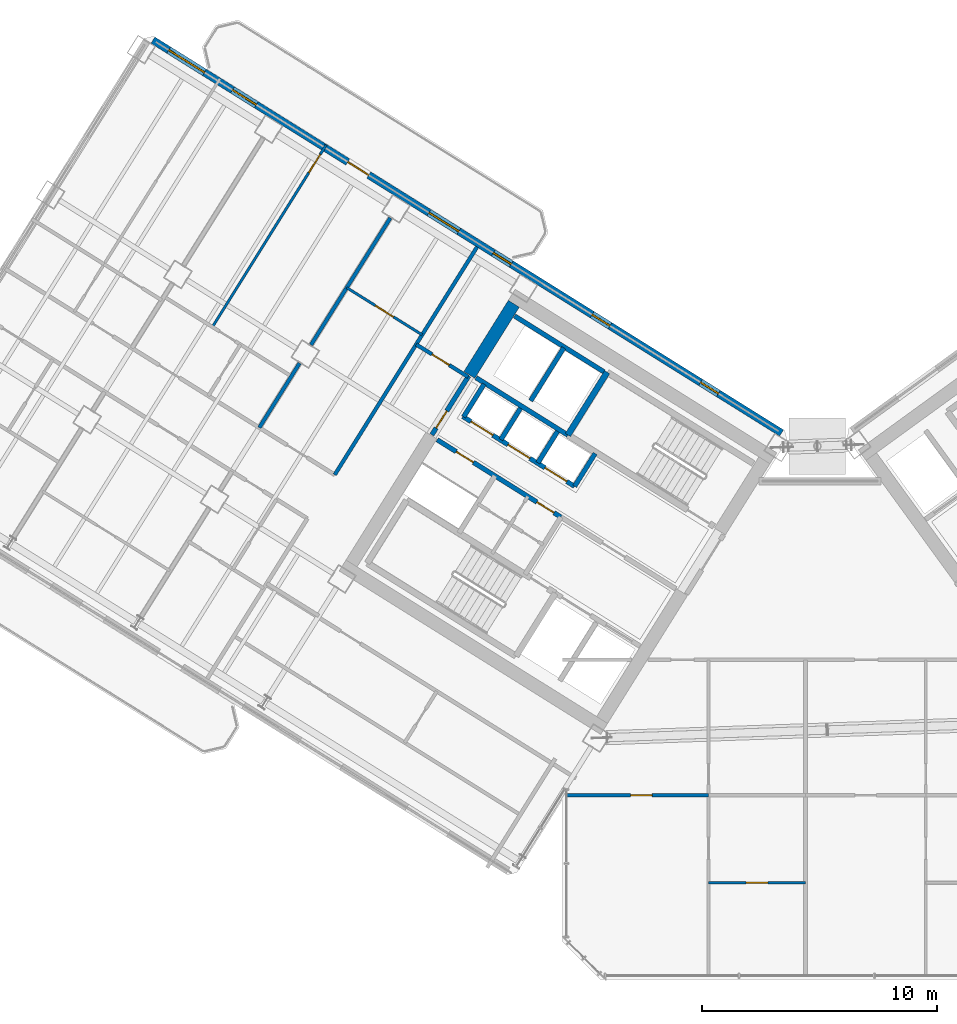
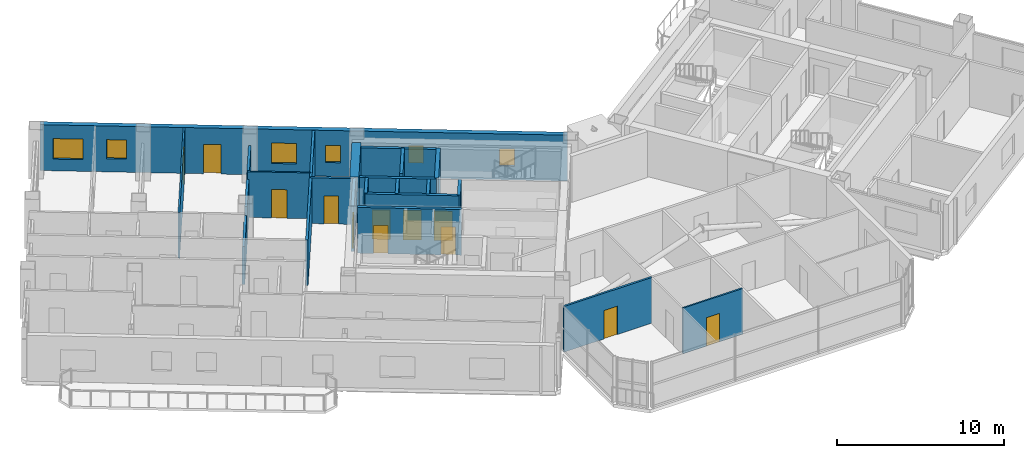
# One storey, part 18 of 29: 21 walls, 12 doors, 6 windows, 18 openings.
"""IFC4 building model written with IfcOpenShell, lengths in metres."""

from ifc_helpers import new_model, si_unit, direction, frame, frame_2d, origin, place, context, subcontext, project, spatial, rectangle, extrude, source, transform, mapped, material, layer, layer_set, type_object, element, fill, save


model = new_model("IFC4")

# Units and contexts
model_context = context("Model", 3, precision=1e-05, world=origin(), true_north=direction((0.0, 1.0)))
body_context = subcontext(model_context, "Body", "Model", "MODEL_VIEW")
ifc_project = project(units=[si_unit("LENGTHUNIT", "METRE"), si_unit("AREAUNIT", "SQUARE_METRE"), si_unit("VOLUMEUNIT", "CUBIC_METRE"), si_unit("PLANEANGLEUNIT", "RADIAN"), si_unit("MASSUNIT", "GRAM", prefix="KILO")], contexts=[model_context])

# Site, building, storey
site_placement = place(None, origin())
site = spatial("IfcSite", under=ifc_project, at=site_placement, CompositionType="ELEMENT")
building_placement = place(site_placement, origin())
building = spatial("IfcBuilding", under=site, at=building_placement, Name="Tlacorven Tower", CompositionType="ELEMENT")
storey_placement = place(building_placement, frame((0.0, 0.0, 151.5)))
storey = spatial("IfcBuildingStorey", under=building, at=storey_placement, Name="L38", CompositionType="ELEMENT", Elevation=151.5)

# Wall
ifc_material_1 = material(Name="Concrete C60/75", Category="concrete")
ifc_layer_1 = layer(ifc_material_1, 0.550048828125)
ifc_layer_set_1 = layer_set([ifc_layer_1], Name="Concrete C60/75")
wall_type_1 = type_object("IfcWallType", Name="WL-COR-550", PredefinedType="SHEAR", material=ifc_layer_set_1)
wall_1_placement = place(storey_placement, frame((29.517333984375, 30.59423828125, 0.0), z_axis=(0.0, 0.0, 1.0), x_axis=(-0.529906864564, -0.848055844204, 0.0)))
element("IfcWall", 1, at=wall_1_placement, inside=storey, type_object=wall_type_1, Name="L38 W core end wall E2.1", PredefinedType="SHEAR", context=body_context, shape_type="SweptSolid", body=[
    extrude(rectangle(XDim=3.5751953125, YDim=0.550048828125, at=frame_2d((1.78759765625, 0.0))), origin(), (0.0, 0.0, 1.0), 3.35009765625),
])

# Wall, opening, door
ifc_material_2 = material(Name="Gypsum plasterboard acoustic partition", Category="gypsum")
ifc_layer_2 = layer(ifc_material_2, 0.159912109375)
ifc_layer_set_2 = layer_set([ifc_layer_2], Name="Gypsum plasterboard acoustic partition")
wall_type_2 = type_object("IfcWallType", Name="WL-DEM-160", PredefinedType="PARTITIONING", material=ifc_layer_set_2)
wall_2_placement = place(storey_placement, frame((27.56982421875, 27.4775390625, 0.0), z_axis=(0.0, 0.0, 1.0), x_axis=(-0.848050851465, 0.529914854792, 0.0)))
wall_2 = element("IfcWall", 2, at=wall_2_placement, inside=storey, type_object=wall_type_2, Name="L38 partition 45", PredefinedType="PARTITIONING", context=body_context, shape_type="SweptSolid", body=[
    extrude(rectangle(XDim=2.60986328125, YDim=0.159912109375, at=frame_2d((1.304931640625, 0.0))), origin(), (0.0, 0.0, 1.0), 3.340087890625),
])
opening_1_placement = place(wall_2_placement, frame((0.949951171875, 0.0, 0.0)))
opening_1 = element("IfcOpeningElement", 3, at=opening_1_placement, cuts=wall_2, Name="Opening D19", PredefinedType="OPENING", context=body_context, shape_type="SweptSolid", body=[
    extrude(rectangle(XDim=0.860107421875, YDim=2.050048828125, at=frame_2d((0.43017578125, 1.02490234375))), frame((0.0, 0.08984375, 0.0), z_axis=(0.0, -1.0, 0.0), x_axis=(1.0, 0.0, 0.0)), (0.0, 0.0, 1.0), 0.179931640625),
])
ifc_material_3 = material(Name="Fire-rated steel door assembly", Category="steel")
door_type_1 = type_object("IfcDoorType", Name="DR-RSR-FD60-0860", OperationType="NOTDEFINED", PredefinedType="DOOR", material=ifc_material_3)
shared_shape_1 = source(origin(), body_context, "Body", "SweptSolid", [
    extrude(rectangle(XDim=0.860107421875, YDim=2.050048828125, at=frame_2d((0.43017578125, 1.02490234375))), frame((0.0, 0.02490234375, 0.0), z_axis=(0.0, -1.0, 0.0), x_axis=(1.0, 0.0, 0.0)), (0.0, 0.0, 1.0), 0.050048828125),
])
door_1_placement = place(opening_1_placement, frame((0.860107421875, 0.0, 0.0), z_axis=(0.0, 0.0, 1.0), x_axis=(-1.0, 0.0, 0.0)))
door_1 = element("IfcDoor", 4, at=door_1_placement, inside=storey, type_object=door_type_1, Name="L38 door 022", OperationType="SINGLE_SWING_RIGHT", OverallHeight=2.050048828125, OverallWidth=0.860107421875, PredefinedType="DOOR", context=body_context, shape_type="MappedRepresentation", body=[
    mapped(shared_shape_1, transform((0.0, 0.0, 0.0), scale=1.0)),
])
fill(opening_1, door_1)

# Walls
wall_3_placement = place(storey_placement, frame((27.952880859375, 33.01611328125, 0.0), z_axis=(0.0, 0.0, 1.0), x_axis=(-0.529905022231, -0.848056995381, 0.0)))
element("IfcWall", 5, at=wall_3_placement, inside=storey, type_object=wall_type_2, Name="L38 partition 47", PredefinedType="PARTITIONING", context=body_context, shape_type="SweptSolid", body=[
    extrude(rectangle(XDim=11.449951171875, YDim=0.159912109375, at=frame_2d((5.72509765625, 0.0))), origin(), (0.0, 0.0, 1.0), 3.340087890625),
])
wall_4_placement = place(storey_placement, frame((24.255615234375, 34.2509765625, 0.0), z_axis=(0.0, 0.0, 1.0), x_axis=(-0.529919772691, -0.848047778437, 0.0)))
element("IfcWall", 6, at=wall_4_placement, inside=storey, type_object=wall_type_2, Name="L38 WS Demising Wall 1", PredefinedType="PARTITIONING", context=body_context, shape_type="SweptSolid", body=[
    extrude(rectangle(XDim=6.375732421875, YDim=0.159912109375, at=frame_2d((3.18798828125, 0.0))), origin(), (0.0, 0.0, 1.0), 2.77490234375),
])
wall_5_placement = place(storey_placement, frame((20.38720703125, 28.060302734375, 0.0), z_axis=(0.0, 0.0, 1.0), x_axis=(-0.529890499457, -0.848066069705, 0.0)))
element("IfcWall", 7, at=wall_5_placement, inside=storey, type_object=wall_type_2, Name="L38 WS Demising Wall 1", PredefinedType="PARTITIONING", context=body_context, shape_type="SweptSolid", body=[
    extrude(rectangle(XDim=3.238037109375, YDim=0.159912109375, at=frame_2d((1.619140625, 0.0))), origin(), (0.0, 0.0, 1.0), 2.77490234375),
])

# Wall, openings, door, windows
ifc_material_4 = material(Name="Precast concrete C45/55", Category="concrete")
ifc_layer_3 = layer(ifc_material_4, 0.320068359375)
ifc_layer_set_3 = layer_set([ifc_layer_3], Name="Precast concrete C45/55")
wall_type_3 = type_object("IfcWallType", Name="WL-EXT-320", PredefinedType="STANDARD", material=ifc_layer_set_3)
wall_6_placement = place(storey_placement, frame((14.13818359375, 41.825439453125, 0.0), z_axis=(0.0, 0.0, 1.0), x_axis=(0.848046498049, -0.529921821731, 0.0)))
wall_6 = element("IfcWall", 8, at=wall_6_placement, inside=storey, type_object=wall_type_3, Name="L38 Masonry-Frame Recessed Facade Wall 3", PredefinedType="STANDARD", context=body_context, shape_type="SweptSolid", body=[
    extrude(rectangle(XDim=31.587646484375, YDim=0.320068359375, at=frame_2d((15.7939453125, 0.0))), origin(), (0.0, 0.0, 1.0), 3.35009765625),
])
opening_2_placement = place(wall_6_placement, frame((9.7919921875, 0.0, 0.0)))
opening_2 = element("IfcOpeningElement", 9, at=opening_2_placement, cuts=wall_6, Name="Opening D06", PredefinedType="OPENING", context=body_context, shape_type="SweptSolid", body=[
    extrude(rectangle(XDim=1.050048828125, YDim=2.14990234375, at=frame_2d((0.52490234375, 1.074951171875))), frame((0.0, 0.169921875, 0.0), z_axis=(0.0, -1.0, 0.0), x_axis=(1.0, 0.0, 0.0)), (0.0, 0.0, 1.0), 0.340087890625),
])
opening_3_placement = place(wall_6_placement, frame((0.791259765625, 0.0, 0.85009765625)))
opening_3 = element("IfcOpeningElement", 10, at=opening_3_placement, cuts=wall_6, Name="Opening WN01", PredefinedType="OPENING", context=body_context, shape_type="SweptSolid", body=[
    extrude(rectangle(XDim=1.800048828125, YDim=1.5, at=frame_2d((0.89990234375, 0.75))), frame((0.0, 0.169921875, 0.0), z_axis=(0.0, -1.0, 0.0), x_axis=(1.0, 0.0, 0.0)), (0.0, 0.0, 1.0), 0.340087890625),
])
opening_4_placement = place(wall_6_placement, frame((3.99609375, 0.0, 0.949951171875)))
opening_4 = element("IfcOpeningElement", 11, at=opening_4_placement, cuts=wall_6, Name="Opening WN03", PredefinedType="OPENING", context=body_context, shape_type="SweptSolid", body=[
    extrude(rectangle(XDim=1.199951171875, YDim=1.39990234375, at=frame_2d((0.60009765625, 0.699951171875))), frame((0.0, 0.169921875, 0.0), z_axis=(0.0, -1.0, 0.0), x_axis=(1.0, 0.0, 0.0)), (0.0, 0.0, 1.0), 0.340087890625),
])
opening_5_placement = place(wall_6_placement, frame((13.873779296875, 0.0, 0.85009765625)))
opening_5 = element("IfcOpeningElement", 12, at=opening_5_placement, cuts=wall_6, Name="Opening WN02", PredefinedType="OPENING", context=body_context, shape_type="SweptSolid", body=[
    extrude(rectangle(XDim=1.5, YDim=1.5, at=frame_2d((0.75, 0.75))), frame((0.0, 0.169921875, 0.0), z_axis=(0.0, -1.0, 0.0), x_axis=(1.0, 0.0, 0.0)), (0.0, 0.0, 1.0), 0.340087890625),
])
opening_6_placement = place(wall_6_placement, frame((17.103759765625, 0.0, 1.0)))
opening_6 = element("IfcOpeningElement", 13, at=opening_6_placement, cuts=wall_6, Name="Opening WN05", PredefinedType="OPENING", context=body_context, shape_type="SweptSolid", body=[
    extrude(rectangle(XDim=0.89990234375, YDim=1.25, at=frame_2d((0.449951171875, 0.625))), frame((0.0, 0.169921875, 0.0), z_axis=(0.0, -1.0, 0.0), x_axis=(1.0, 0.0, 0.0)), (0.0, 0.0, 1.0), 0.340087890625),
])
opening_7_placement = place(wall_6_placement, frame((22.06884765625, 0.0, 1.0)))
opening_7 = element("IfcOpeningElement", 14, at=opening_7_placement, cuts=wall_6, Name="Opening WN05", PredefinedType="OPENING", context=body_context, shape_type="SweptSolid", body=[
    extrude(rectangle(XDim=0.89990234375, YDim=1.25, at=frame_2d((0.449951171875, 0.625))), frame((0.0, 0.169921875, 0.0), z_axis=(0.0, -1.0, 0.0), x_axis=(1.0, 0.0, 0.0)), (0.0, 0.0, 1.0), 0.340087890625),
])
opening_8_placement = place(wall_6_placement, frame((27.51904296875, 0.0, 1.0)))
opening_8 = element("IfcOpeningElement", 15, at=opening_8_placement, cuts=wall_6, Name="Opening WN05", PredefinedType="OPENING", context=body_context, shape_type="SweptSolid", body=[
    extrude(rectangle(XDim=0.89990234375, YDim=1.25, at=frame_2d((0.449951171875, 0.625))), frame((0.0, 0.169921875, 0.0), z_axis=(0.0, -1.0, 0.0), x_axis=(1.0, 0.0, 0.0)), (0.0, 0.0, 1.0), 0.340087890625),
])
ifc_material_5 = material(Name="Powder-coated aluminium and timber door", Category="wood")
door_type_2 = type_object("IfcDoorType", Name="DR-EXT-BALC-1050", OperationType="NOTDEFINED", PredefinedType="DOOR", material=ifc_material_5)
shared_shape_2 = source(origin(), body_context, "Body", "SweptSolid", [
    extrude(rectangle(XDim=1.050048828125, YDim=2.14990234375, at=frame_2d((0.52490234375, 1.074951171875))), frame((0.0, 0.02490234375, 0.0), z_axis=(0.0, -1.0, 0.0), x_axis=(1.0, 0.0, 0.0)), (0.0, 0.0, 1.0), 0.050048828125),
])
door_2_placement = place(opening_2_placement, origin())
door_2 = element("IfcDoor", 16, at=door_2_placement, inside=storey, type_object=door_type_2, Name="L38 Outdoor Access Door BAL-L38-W-IN", OperationType="SINGLE_SWING_RIGHT", OverallHeight=2.14990234375, OverallWidth=1.050048828125, PredefinedType="DOOR", context=body_context, shape_type="MappedRepresentation", body=[
    mapped(shared_shape_2, transform((0.0, 0.0, 0.0), scale=1.0)),
])
fill(opening_2, door_2)
ifc_material_6 = material(Name="Dark solar low-E double glazing in anodised aluminium frame", Category="aluminium")
window_type_1 = type_object("IfcWindowType", Name="WN-APT-1200X1500", PartitioningType="SINGLE_PANEL", PredefinedType="WINDOW", material=ifc_material_6)
shared_shape_3 = source(origin(), body_context, "Body", "SweptSolid", [
    extrude(rectangle(XDim=1.199951171875, YDim=1.39990234375, at=frame_2d((0.60009765625, 0.699951171875))), frame((0.0, 0.030029296875, 0.0), z_axis=(0.0, -1.0, 0.0), x_axis=(1.0, 0.0, 0.0)), (0.0, 0.0, 1.0), 0.06005859375),
])
window_1_placement = place(opening_4_placement, origin())
window_1 = element("IfcWindow", 17, at=window_1_placement, inside=storey, type_object=window_type_1, Name="L38 Recessed Masonry-Frame Window L38-03.2", OverallHeight=1.39990234375, OverallWidth=1.199951171875, PartitioningType="SINGLE_PANEL", PredefinedType="WINDOW", context=body_context, shape_type="MappedRepresentation", body=[
    mapped(shared_shape_3, transform((0.0, 0.0, 0.0), scale=1.0)),
])
fill(opening_4, window_1)
window_type_2 = type_object("IfcWindowType", Name="WN-APT-1800X1650", PartitioningType="SINGLE_PANEL", PredefinedType="WINDOW", material=ifc_material_6)
shared_shape_4 = source(origin(), body_context, "Body", "SweptSolid", [
    extrude(rectangle(XDim=1.800048828125, YDim=1.5, at=frame_2d((0.89990234375, 0.75))), frame((0.0, 0.030029296875, 0.0), z_axis=(0.0, -1.0, 0.0), x_axis=(1.0, 0.0, 0.0)), (0.0, 0.0, 1.0), 0.06005859375),
])
window_2_placement = place(opening_3_placement, origin())
window_2 = element("IfcWindow", 18, at=window_2_placement, inside=storey, type_object=window_type_2, Name="L38 Recessed Masonry-Frame Window L38-03.1", OverallHeight=1.5, OverallWidth=1.800048828125, PartitioningType="SINGLE_PANEL", PredefinedType="WINDOW", context=body_context, shape_type="MappedRepresentation", body=[
    mapped(shared_shape_4, transform((0.0, 0.0, 0.0), scale=1.0)),
])
fill(opening_3, window_2)
window_type_3 = type_object("IfcWindowType", Name="WN-APT-1500X1650", PartitioningType="SINGLE_PANEL", PredefinedType="WINDOW", material=ifc_material_6)
shared_shape_5 = source(origin(), body_context, "Body", "SweptSolid", [
    extrude(rectangle(XDim=1.5, YDim=1.5, at=frame_2d((0.75, 0.75))), frame((0.0, 0.030029296875, 0.0), z_axis=(0.0, -1.0, 0.0), x_axis=(1.0, 0.0, 0.0)), (0.0, 0.0, 1.0), 0.06005859375),
])
window_3_placement = place(opening_5_placement, origin())
window_3 = element("IfcWindow", 19, at=window_3_placement, inside=storey, type_object=window_type_3, Name="L38 Recessed Masonry-Frame Window L38-03.3", OverallHeight=1.5, OverallWidth=1.5, PartitioningType="SINGLE_PANEL", PredefinedType="WINDOW", context=body_context, shape_type="MappedRepresentation", body=[
    mapped(shared_shape_5, transform((0.0, 0.0, 0.0), scale=1.0)),
])
fill(opening_5, window_3)
window_type_4 = type_object("IfcWindowType", Name="WN-APT-0900X1350", PartitioningType="SINGLE_PANEL", PredefinedType="WINDOW", material=ifc_material_6)
shared_shape_6 = source(origin(), body_context, "Body", "SweptSolid", [
    extrude(rectangle(XDim=0.89990234375, YDim=1.25, at=frame_2d((0.449951171875, 0.625))), frame((0.0, 0.030029296875, 0.0), z_axis=(0.0, -1.0, 0.0), x_axis=(1.0, 0.0, 0.0)), (0.0, 0.0, 1.0), 0.06005859375),
])
window_4_placement = place(opening_6_placement, origin())
window_4 = element("IfcWindow", 20, at=window_4_placement, inside=storey, type_object=window_type_4, Name="L38 Recessed Masonry-Frame Window L38-03.4", OverallHeight=1.25, OverallWidth=0.89990234375, PartitioningType="SINGLE_PANEL", PredefinedType="WINDOW", context=body_context, shape_type="MappedRepresentation", body=[
    mapped(shared_shape_6, transform((0.0, 0.0, 0.0), scale=1.0)),
])
fill(opening_6, window_4)
window_5_placement = place(opening_7_placement, origin())
window_5 = element("IfcWindow", 21, at=window_5_placement, inside=storey, type_object=window_type_4, Name="L38 Recessed Masonry-Frame Window L38-03.5", OverallHeight=1.25, OverallWidth=0.89990234375, PartitioningType="SINGLE_PANEL", PredefinedType="WINDOW", context=body_context, shape_type="MappedRepresentation", body=[
    mapped(shared_shape_6, transform((0.0, 0.0, 0.0), scale=1.0)),
])
fill(opening_7, window_5)
window_6_placement = place(opening_8_placement, origin())
window_6 = element("IfcWindow", 22, at=window_6_placement, inside=storey, type_object=window_type_4, Name="L38 Recessed Masonry-Frame Window L38-03.6", OverallHeight=1.25, OverallWidth=0.89990234375, PartitioningType="SINGLE_PANEL", PredefinedType="WINDOW", context=body_context, shape_type="MappedRepresentation", body=[
    mapped(shared_shape_6, transform((0.0, 0.0, 0.0), scale=1.0)),
])
fill(opening_8, window_6)

# Wall, opening, door
ifc_material_7 = material(Name="Gypsum plasterboard partition", Category="gypsum")
ifc_layer_4 = layer(ifc_material_7, 0.110107421875)
ifc_layer_set_4 = layer_set([ifc_layer_4], Name="Gypsum plasterboard partition")
wall_type_4 = type_object("IfcWallType", Name="WL-INT-110", PredefinedType="PARTITIONING", material=ifc_layer_set_4)
wall_7_placement = place(storey_placement, frame((25.61181640625, 29.269287109375, 0.0), z_axis=(0.0, 0.0, 1.0), x_axis=(-0.84803087207, 0.529946827537, 0.0)))
wall_7 = element("IfcWall", 23, at=wall_7_placement, inside=storey, type_object=wall_type_4, Name="L38 partition 60", PredefinedType="PARTITIONING", context=body_context, shape_type="SweptSolid", body=[
    extrude(rectangle(XDim=3.7900390625, YDim=0.110107421875, at=frame_2d((1.89501953125, 0.0))), origin(), (0.0, 0.0, 1.0), 3.340087890625),
])
opening_9_placement = place(wall_7_placement, frame((1.43505859375, 0.0, 0.0)))
opening_9 = element("IfcOpeningElement", 24, at=opening_9_placement, cuts=wall_7, Name="Opening D12", PredefinedType="OPENING", context=body_context, shape_type="SweptSolid", body=[
    extrude(rectangle(XDim=0.919921875, YDim=2.080078125, at=frame_2d((0.4599609375, 1.0400390625))), frame((0.0, 0.06494140625, 0.0), z_axis=(0.0, -1.0, 0.0), x_axis=(1.0, 0.0, 0.0)), (0.0, 0.0, 1.0), 0.130126953125),
])
door_type_3 = type_object("IfcDoorType", Name="DR-INT-ROOM-0920", OperationType="NOTDEFINED", PredefinedType="DOOR", material=ifc_material_5)
shared_shape_7 = source(origin(), body_context, "Body", "SweptSolid", [
    extrude(rectangle(XDim=0.919921875, YDim=2.080078125, at=frame_2d((0.4599609375, 1.0400390625))), frame((0.0, 0.02490234375, 0.0), z_axis=(0.0, -1.0, 0.0), x_axis=(1.0, 0.0, 0.0)), (0.0, 0.0, 1.0), 0.050048828125),
])
door_3_placement = place(opening_9_placement, origin())
door_3 = element("IfcDoor", 25, at=door_3_placement, inside=storey, type_object=door_type_3, Name="L38 door 033", OperationType="SINGLE_SWING_RIGHT", OverallHeight=2.080078125, OverallWidth=0.919921875, PredefinedType="DOOR", context=body_context, shape_type="MappedRepresentation", body=[
    mapped(shared_shape_7, transform((0.0, 0.0, 0.0), scale=1.0)),
])
fill(opening_9, door_3)

wall_8_placement = place(storey_placement, frame((21.516845703125, 37.356201171875, 0.0), z_axis=(0.0, 0.0, 1.0), x_axis=(-0.529919705034, -0.848047820713, 0.0)))
wall_8 = element("IfcWall", 26, at=wall_8_placement, inside=storey, type_object=wall_type_4, Name="L38 partition 64", PredefinedType="PARTITIONING", context=body_context, shape_type="SweptSolid", body=[
    extrude(rectangle(XDim=9.14013671875, YDim=0.110107421875, at=frame_2d((4.570068359375, 0.0))), origin(), (0.0, 0.0, 1.0), 3.340087890625),
])
opening_10_placement = place(wall_8_placement, frame((0.469970703125, 0.0, 0.0)))
opening_10 = element("IfcOpeningElement", 27, at=opening_10_placement, cuts=wall_8, Name="Opening D12", PredefinedType="OPENING", context=body_context, shape_type="SweptSolid", body=[
    extrude(rectangle(XDim=0.919921875, YDim=2.080078125, at=frame_2d((0.4599609375, 1.0400390625))), frame((0.0, 0.06494140625, 0.0), z_axis=(0.0, -1.0, 0.0), x_axis=(1.0, 0.0, 0.0)), (0.0, 0.0, 1.0), 0.130126953125),
])
door_4_placement = place(opening_10_placement, origin())
door_4 = element("IfcDoor", 28, at=door_4_placement, inside=storey, type_object=door_type_3, Name="L38 door 034", OperationType="SINGLE_SWING_LEFT", OverallHeight=2.080078125, OverallWidth=0.919921875, PredefinedType="DOOR", context=body_context, shape_type="MappedRepresentation", body=[
    mapped(shared_shape_7, transform((0.0, 0.0, 0.0), scale=1.0)),
])
fill(opening_10, door_4)

wall_9_placement = place(storey_placement, frame((37.81298828125, 5.919921875, 0.0), z_axis=(0.0, 0.0, 1.0), x_axis=(1.0, 0.0, 0.0)))
wall_9 = element("IfcWall", 29, at=wall_9_placement, inside=storey, type_object=wall_type_4, Name="L38 partition 80", PredefinedType="PARTITIONING", context=body_context, shape_type="SweptSolid", body=[
    extrude(rectangle(XDim=4.136962890625, YDim=0.110107421875, at=frame_2d((2.068359375, 0.0))), origin(), (0.0, 0.0, 1.0), 3.340087890625),
])
opening_11_placement = place(wall_9_placement, frame((1.6083984375, 0.0, 0.0)))
opening_11 = element("IfcOpeningElement", 30, at=opening_11_placement, cuts=wall_9, Name="Opening D12", PredefinedType="OPENING", context=body_context, shape_type="SweptSolid", body=[
    extrude(rectangle(XDim=0.919921875, YDim=2.080078125, at=frame_2d((0.4599609375, 1.0400390625))), frame((0.0, 0.06494140625, 0.0), z_axis=(0.0, -1.0, 0.0), x_axis=(1.0, 0.0, 0.0)), (0.0, 0.0, 1.0), 0.130126953125),
])
door_5_placement = place(opening_11_placement, origin())
door_5 = element("IfcDoor", 31, at=door_5_placement, inside=storey, type_object=door_type_3, Name="L38 door 049", OperationType="SINGLE_SWING_RIGHT", OverallHeight=2.080078125, OverallWidth=0.919921875, PredefinedType="DOOR", context=body_context, shape_type="MappedRepresentation", body=[
    mapped(shared_shape_7, transform((0.0, 0.0, 0.0), scale=1.0)),
])
fill(opening_11, door_5)

ifc_material_8 = material(Name="Moisture-resistant gypsum plumbing wall", Category="gypsum")
ifc_layer_5 = layer(ifc_material_8, 0.139892578125)
ifc_layer_set_5 = layer_set([ifc_layer_5], Name="Moisture-resistant gypsum plumbing wall")
wall_type_5 = type_object("IfcWallType", Name="WL-PLM-140", PredefinedType="PLUMBINGWALL", material=ifc_layer_set_5)
wall_10_placement = place(storey_placement, frame((31.739990234375, 9.64990234375, 0.0), z_axis=(0.0, 0.0, 1.0), x_axis=(1.0, 0.0, 0.0)))
wall_10 = element("IfcWall", 32, at=wall_10_placement, inside=storey, type_object=wall_type_5, Name="L38 partition 78", PredefinedType="PLUMBINGWALL", context=body_context, shape_type="SweptSolid", body=[
    extrude(rectangle(XDim=6.072998046875, YDim=0.139892578125, at=frame_2d((3.03662109375, 0.0))), origin(), (0.0, 0.0, 1.0), 3.340087890625),
])
opening_12_placement = place(wall_10_placement, frame((2.756591796875, 0.0, 0.0)))
opening_12 = element("IfcOpeningElement", 33, at=opening_12_placement, cuts=wall_10, Name="Opening D12", PredefinedType="OPENING", context=body_context, shape_type="SweptSolid", body=[
    extrude(rectangle(XDim=0.919921875, YDim=2.080078125, at=frame_2d((0.4599609375, 1.0400390625))), frame((0.0, 0.080078125, 0.0), z_axis=(0.0, -1.0, 0.0), x_axis=(1.0, 0.0, 0.0)), (0.0, 0.0, 1.0), 0.159912109375),
])
door_6_placement = place(opening_12_placement, frame((0.919921875, 0.0, 0.0), z_axis=(0.0, 0.0, 1.0), x_axis=(-1.0, 0.0, 0.0)))
door_6 = element("IfcDoor", 34, at=door_6_placement, inside=storey, type_object=door_type_3, Name="L38 door 051", OperationType="SINGLE_SWING_RIGHT", OverallHeight=2.080078125, OverallWidth=0.919921875, PredefinedType="DOOR", context=body_context, shape_type="MappedRepresentation", body=[
    mapped(shared_shape_7, transform((0.0, 0.0, 0.0), scale=1.0)),
])
fill(opening_12, door_6)

# Wall
ifc_material_9 = material(Name="Concrete C40/50", Category="concrete")
ifc_layer_6 = layer(ifc_material_9, 0.199951171875)
ifc_layer_set_6 = layer_set([ifc_layer_6], Name="Concrete C40/50")
wall_type_6 = type_object("IfcWallType", Name="WL-SHF-200", PredefinedType="STANDARD", material=ifc_layer_set_6)
wall_11_placement = place(storey_placement, frame((31.82177734375, 24.99755859375, 0.0), z_axis=(0.0, 0.0, 1.0), x_axis=(-0.848036912365, 0.52993716162, 0.0)))
element("IfcWall", 35, at=wall_11_placement, inside=storey, type_object=wall_type_6, Name="L38 Core W South Lift Shaft Wall", PredefinedType="STANDARD", context=body_context, shape_type="SweptSolid", body=[
    extrude(rectangle(XDim=4.617919921875, YDim=0.199951171875, at=frame_2d((2.30908203125, 0.0))), origin(), (0.0, 0.0, 1.0), 3.340087890625),
])

# Wall, openings, doors
wall_12_placement = place(storey_placement, frame((32.108154296875, 22.81396484375, 0.0), z_axis=(0.0, 0.0, 1.0), x_axis=(-0.848042229521, 0.529928652696, 0.0)))
wall_12 = element("IfcWall", 36, at=wall_12_placement, inside=storey, type_object=wall_type_6, Name="L38 partition 11", PredefinedType="STANDARD", context=body_context, shape_type="SweptSolid", body=[
    extrude(rectangle(XDim=5.6201171875, YDim=0.199951171875, at=frame_2d((2.81005859375, 0.0))), origin(), (0.0, 0.0, 1.0), 3.340087890625),
])
opening_13_placement = place(wall_12_placement, frame((0.389892578125, 0.0, 0.0)))
opening_13 = element("IfcOpeningElement", 37, at=opening_13_placement, cuts=wall_12, Name="Opening LD01", PredefinedType="OPENING", context=body_context, shape_type="SweptSolid", body=[
    extrude(rectangle(XDim=1.10009765625, YDim=2.14990234375, at=frame_2d((0.550048828125, 1.074951171875))), frame((0.0, 0.10986328125, 0.0), z_axis=(0.0, -1.0, 0.0), x_axis=(1.0, 0.0, 0.0)), (0.0, 0.0, 1.0), 0.219970703125),
])
opening_14_placement = place(wall_12_placement, frame((2.25, 0.0, 0.0)))
opening_14 = element("IfcOpeningElement", 38, at=opening_14_placement, cuts=wall_12, Name="Opening LD01", PredefinedType="OPENING", context=body_context, shape_type="SweptSolid", body=[
    extrude(rectangle(XDim=1.10009765625, YDim=2.14990234375, at=frame_2d((0.550048828125, 1.074951171875))), frame((0.0, 0.10986328125, 0.0), z_axis=(0.0, -1.0, 0.0), x_axis=(1.0, 0.0, 0.0)), (0.0, 0.0, 1.0), 0.219970703125),
])
opening_15_placement = place(wall_12_placement, frame((4.110107421875, 0.0, 0.0)))
opening_15 = element("IfcOpeningElement", 39, at=opening_15_placement, cuts=wall_12, Name="Opening LD01", PredefinedType="OPENING", context=body_context, shape_type="SweptSolid", body=[
    extrude(rectangle(XDim=1.10009765625, YDim=2.14990234375, at=frame_2d((0.550048828125, 1.074951171875))), frame((0.0, 0.10986328125, 0.0), z_axis=(0.0, -1.0, 0.0), x_axis=(1.0, 0.0, 0.0)), (0.0, 0.0, 1.0), 0.219970703125),
])
door_type_4 = type_object("IfcDoorType", Name="DR-LFT-SLID-1100", OperationType="DOUBLE_DOOR_SLIDING", PredefinedType="DOOR", material=ifc_material_3)
shared_shape_8 = source(origin(), body_context, "Body", "SweptSolid", [
    extrude(rectangle(XDim=1.10009765625, YDim=2.14990234375, at=frame_2d((0.550048828125, 1.074951171875))), frame((0.0, 0.02490234375, 0.0), z_axis=(0.0, -1.0, 0.0), x_axis=(1.0, 0.0, 0.0)), (0.0, 0.0, 1.0), 0.050048828125),
])
door_7_placement = place(opening_13_placement, origin())
door_7 = element("IfcDoor", 40, at=door_7_placement, inside=storey, type_object=door_type_4, Name="L38 Lift PL-M1 Sliding Landing Door", OperationType="DOUBLE_DOOR_SLIDING", OverallHeight=2.14990234375, OverallWidth=1.10009765625, PredefinedType="DOOR", context=body_context, shape_type="MappedRepresentation", body=[
    mapped(shared_shape_8, transform((0.0, 0.0, 0.0), scale=1.0)),
])
fill(opening_13, door_7)
door_8_placement = place(opening_14_placement, origin())
door_8 = element("IfcDoor", 41, at=door_8_placement, inside=storey, type_object=door_type_4, Name="L38 Lift PL-M2 Sliding Landing Door", OperationType="DOUBLE_DOOR_SLIDING", OverallHeight=2.14990234375, OverallWidth=1.10009765625, PredefinedType="DOOR", context=body_context, shape_type="MappedRepresentation", body=[
    mapped(shared_shape_8, transform((0.0, 0.0, 0.0), scale=1.0)),
])
fill(opening_14, door_8)
door_9_placement = place(opening_15_placement, origin())
door_9 = element("IfcDoor", 42, at=door_9_placement, inside=storey, type_object=door_type_4, Name="L38 Lift PL-M3 Sliding Landing Door", OperationType="DOUBLE_DOOR_SLIDING", OverallHeight=2.14990234375, OverallWidth=1.10009765625, PredefinedType="DOOR", context=body_context, shape_type="MappedRepresentation", body=[
    mapped(shared_shape_8, transform((0.0, 0.0, 0.0), scale=1.0)),
])
fill(opening_15, door_9)

# Walls
wall_13_placement = place(storey_placement, frame((32.982421875, 24.21337890625, 0.0), z_axis=(0.0, 0.0, 1.0), x_axis=(-0.529839334948, -0.84809803628, 0.0)))
element("IfcWall", 43, at=wall_13_placement, inside=storey, type_object=wall_type_6, Name="L38 partition 12", PredefinedType="STANDARD", context=body_context, shape_type="SweptSolid", body=[
    extrude(rectangle(XDim=1.650146484375, YDim=0.199951171875, at=frame_2d((0.8251953125, 0.0))), origin(), (0.0, 0.0, 1.0), 3.340087890625),
])
wall_14_placement = place(storey_placement, frame((28.250244140625, 27.170166015625, 0.0), z_axis=(0.0, 0.0, 1.0), x_axis=(-0.529905827651, -0.848056492117, 0.0)))
element("IfcWall", 44, at=wall_14_placement, inside=storey, type_object=wall_type_6, Name="L38 partition 13", PredefinedType="STANDARD", context=body_context, shape_type="SweptSolid", body=[
    extrude(rectangle(XDim=1.64990234375, YDim=0.199951171875, at=frame_2d((0.824951171875, 0.0))), origin(), (0.0, 0.0, 1.0), 3.340087890625),
])
wall_15_placement = place(storey_placement, frame((31.645263671875, 28.716064453125, 0.0), z_axis=(0.0, 0.0, 1.0), x_axis=(-0.52986693015, -0.848080795876, 0.0)))
element("IfcWall", 45, at=wall_15_placement, inside=storey, type_object=wall_type_6, Name="L38 partition 15", PredefinedType="STANDARD", context=body_context, shape_type="SweptSolid", body=[
    extrude(rectangle(XDim=2.659912109375, YDim=0.199951171875, at=frame_2d((1.330078125, 0.0))), origin(), (0.0, 0.0, 1.0), 3.340087890625),
])
wall_16_placement = place(storey_placement, frame((33.362548828125, 27.690185546875, 0.0), z_axis=(0.0, 0.0, 1.0), x_axis=(-0.848047090064, 0.529920874315, 0.0)))
element("IfcWall", 46, at=wall_16_placement, inside=storey, type_object=wall_type_6, Name="L38 partition 17", PredefinedType="STANDARD", context=body_context, shape_type="SweptSolid", body=[
    extrude(rectangle(XDim=4.498046875, YDim=0.199951171875, at=frame_2d((2.2490234375, 0.0))), origin(), (0.0, 0.0, 1.0), 3.340087890625),
])
for number, where, z_axis, x_axis, name in (
    (47, (31.378662109375, 25.156494140625, 0.0), (0.0, 0.0, 1.0), (-0.529998940003, -0.847998304005, 0.0), "L38 partition 18"),
    (48, (29.80126953125, 26.14208984375, 0.0), (0.0, 0.0, 1.0), (-0.529998940003, -0.847998304005, 0.0), "L38 partition 19"),
):
    element("IfcWall", number, at=place(storey_placement, frame(where, z_axis=z_axis, x_axis=x_axis)), inside=storey, type_object=wall_type_6, Name=name, PredefinedType="STANDARD", context=body_context, shape_type="SweptSolid", body=[
        extrude(rectangle(XDim=1.580078125, YDim=0.199951171875, at=frame_2d((0.7900390625, 0.0))), origin(), (0.0, 0.0, 1.0), 3.340087890625),
    ])

# Wall, openings, doors
wall_17_placement = place(storey_placement, frame((31.525146484375, 21.503662109375, 0.0), z_axis=(0.0, 0.0, 1.0), x_axis=(-0.848040211232, 0.529931882541, 0.0)))
wall_17 = element("IfcWall", 49, at=wall_17_placement, inside=storey, type_object=wall_type_6, Name="L38 Core W North Service Wall", PredefinedType="STANDARD", context=body_context, shape_type="SweptSolid", body=[
    extrude(rectangle(XDim=6.218017578125, YDim=0.199951171875, at=frame_2d((3.10888671875, 0.0))), origin(), (0.0, 0.0, 1.0), 3.340087890625),
])
opening_16_placement = place(wall_17_placement, frame((4.39990234375, 0.0, 0.0)))
opening_16 = element("IfcOpeningElement", 50, at=opening_16_placement, cuts=wall_17, Name="Opening D19", PredefinedType="OPENING", context=body_context, shape_type="SweptSolid", body=[
    extrude(rectangle(XDim=0.860107421875, YDim=2.050048828125, at=frame_2d((0.43017578125, 1.02490234375))), frame((0.0, 0.10986328125, 0.0), z_axis=(0.0, -1.0, 0.0), x_axis=(1.0, 0.0, 0.0)), (0.0, 0.0, 1.0), 0.219970703125),
])
opening_17_placement = place(wall_17_placement, frame((0.35009765625, 0.0, 0.0)))
opening_17 = element("IfcOpeningElement", 51, at=opening_17_placement, cuts=wall_17, Name="Opening D19", PredefinedType="OPENING", context=body_context, shape_type="SweptSolid", body=[
    extrude(rectangle(XDim=0.860107421875, YDim=2.050048828125, at=frame_2d((0.43017578125, 1.02490234375))), frame((0.0, 0.10986328125, 0.0), z_axis=(0.0, -1.0, 0.0), x_axis=(1.0, 0.0, 0.0)), (0.0, 0.0, 1.0), 0.219970703125),
])
door_10_placement = place(opening_16_placement, frame((0.860107421875, 0.0, 0.0), z_axis=(0.0, 0.0, 1.0), x_axis=(-1.0, 0.0, 0.0)))
door_10 = element("IfcDoor", 52, at=door_10_placement, inside=storey, type_object=door_type_1, Name="L38 Electrical Riser Access Door W", OperationType="SINGLE_SWING_LEFT", OverallHeight=2.050048828125, OverallWidth=0.860107421875, PredefinedType="DOOR", context=body_context, shape_type="MappedRepresentation", body=[
    mapped(shared_shape_1, transform((0.0, 0.0, 0.0), scale=1.0)),
])
fill(opening_16, door_10)
door_11_placement = place(opening_17_placement, frame((0.860107421875, 0.0, 0.0), z_axis=(0.0, 0.0, 1.0), x_axis=(-1.0, 0.0, 0.0)))
door_11 = element("IfcDoor", 53, at=door_11_placement, inside=storey, type_object=door_type_1, Name="L38 Cleaning Room Access Door W", OperationType="SINGLE_SWING_RIGHT", OverallHeight=2.050048828125, OverallWidth=0.860107421875, PredefinedType="DOOR", context=body_context, shape_type="MappedRepresentation", body=[
    mapped(shared_shape_1, transform((0.0, 0.0, 0.0), scale=1.0)),
])
fill(opening_17, door_11)

# Wall, opening, door
wall_18_placement = place(storey_placement, frame((27.59619140625, 27.52001953125, 0.0), z_axis=(0.0, 0.0, 1.0), x_axis=(-0.529865479138, -0.848081702443, 0.0)))
wall_18 = element("IfcWall", 54, at=wall_18_placement, inside=storey, type_object=wall_type_6, Name="L38 partition 44", PredefinedType="STANDARD", context=body_context, shape_type="SweptSolid", body=[
    extrude(rectangle(XDim=2.9599609375, YDim=0.199951171875, at=frame_2d((1.47998046875, 0.0))), origin(), (0.0, 0.0, 1.0), 3.340087890625),
])
opening_18_placement = place(wall_18_placement, frame((1.760009765625, 0.0, 0.0)))
opening_18 = element("IfcOpeningElement", 55, at=opening_18_placement, cuts=wall_18, Name="Opening D19", PredefinedType="OPENING", context=body_context, shape_type="SweptSolid", body=[
    extrude(rectangle(XDim=0.860107421875, YDim=2.050048828125, at=frame_2d((0.43017578125, 1.02490234375))), frame((0.0, 0.10986328125, 0.0), z_axis=(0.0, -1.0, 0.0), x_axis=(1.0, 0.0, 0.0)), (0.0, 0.0, 1.0), 0.219970703125),
])
door_12_placement = place(opening_18_placement, origin())
door_12 = element("IfcDoor", 56, at=door_12_placement, inside=storey, type_object=door_type_1, Name="L38 door 023", OperationType="SINGLE_SWING_LEFT", OverallHeight=2.050048828125, OverallWidth=0.860107421875, PredefinedType="DOOR", context=body_context, shape_type="MappedRepresentation", body=[
    mapped(shared_shape_1, transform((0.0, 0.0, 0.0), scale=1.0)),
])
fill(opening_18, door_12)

# Wall
ifc_material_10 = material(Name="Concrete C50/60", Category="concrete")
ifc_layer_7 = layer(ifc_material_10, 0.260009765625)
ifc_layer_set_7 = layer_set([ifc_layer_7], Name="Concrete C50/60")
wall_type_7 = type_object("IfcWallType", Name="WL-STW-260", PredefinedType="SHEAR", material=ifc_layer_set_7)
wall_19_placement = place(storey_placement, frame((33.496337890625, 27.677490234375, 0.0), z_axis=(0.0, 0.0, 1.0), x_axis=(-0.529908658664, -0.84805472316, 0.0)))
element("IfcWall", 57, at=wall_19_placement, inside=storey, type_object=wall_type_7, Name="L38 Stair W2 East Shear Wall", PredefinedType="SHEAR", context=body_context, shape_type="SweptSolid", body=[
    extrude(rectangle(XDim=3.16015625, YDim=0.260009765625, at=frame_2d((1.580078125, 0.0))), origin(), (0.0, 0.0, 1.0), 3.35009765625),
])

save(model, "model.ifc")
